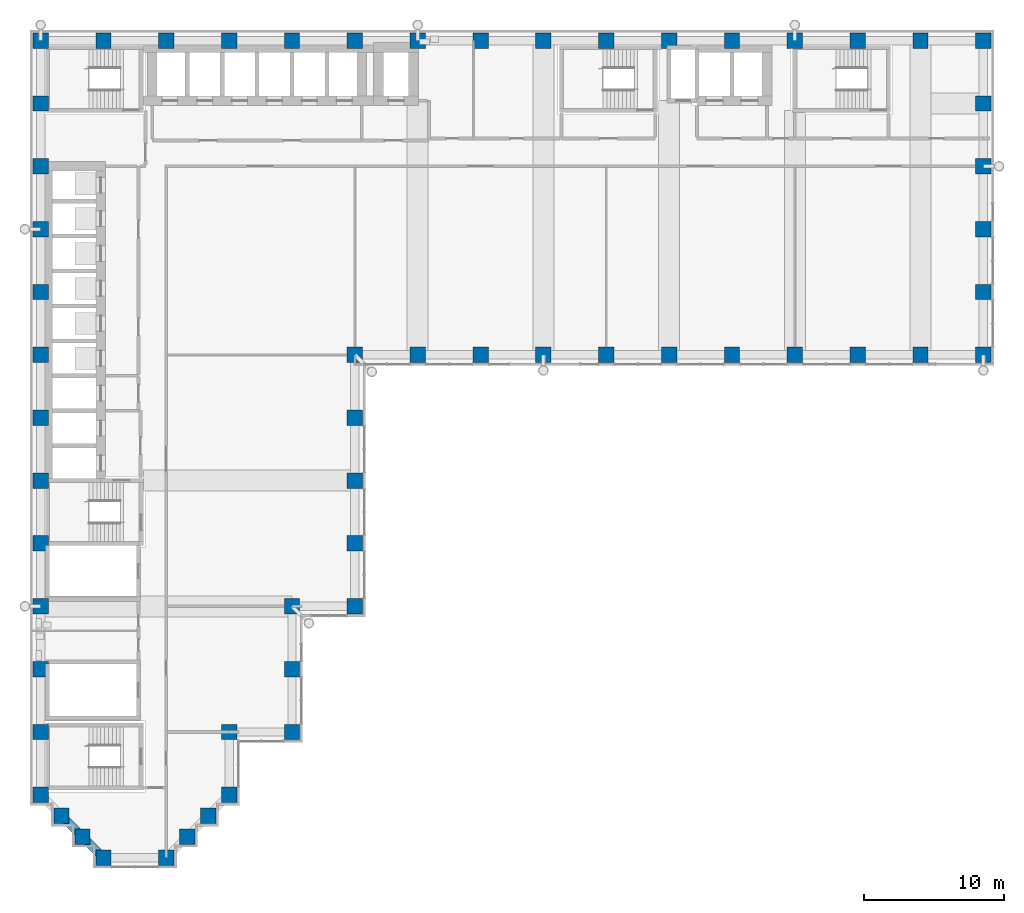
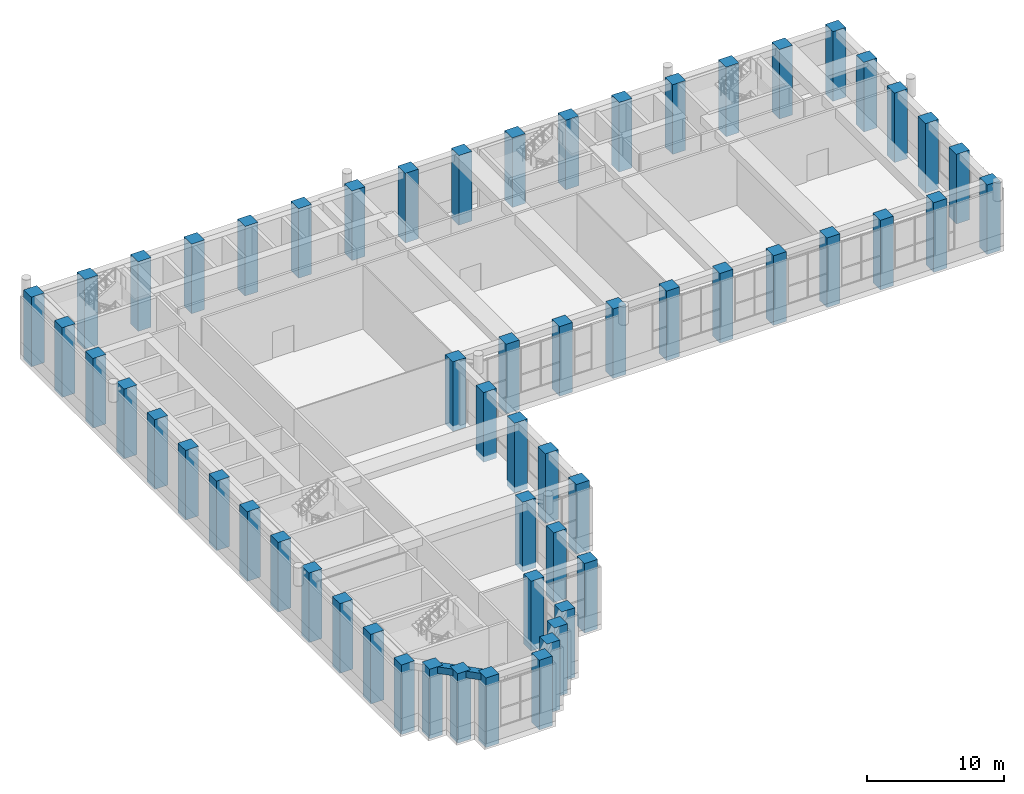
# One storey, part 1 of 22: 58 columns, 2 beams.
"""IFC4 building model written with IfcOpenShell, lengths in metres."""

from ifc_helpers import new_model, si_unit, direction, frame, origin, origin_2d, place, context, subcontext, project, spatial, rectangle, extrude, material, material_profile, profile_set, type_object, element, save


model = new_model("IFC4")

# Units and contexts
model_context = context("Model", 3, precision=1e-05, world=origin(), true_north=direction((0.0, 1.0)))
body_context = subcontext(model_context, "Body", "Model", "MODEL_VIEW")
ifc_project = project(units=[si_unit("LENGTHUNIT", "METRE"), si_unit("AREAUNIT", "SQUARE_METRE"), si_unit("VOLUMEUNIT", "CUBIC_METRE"), si_unit("PLANEANGLEUNIT", "RADIAN"), si_unit("MASSUNIT", "GRAM", prefix="KILO")], contexts=[model_context])

# Site, building, storey
site_placement = place(None, origin())
site = spatial("IfcSite", under=ifc_project, at=site_placement, CompositionType="ELEMENT")
building_placement = place(site_placement, origin())
building = spatial("IfcBuilding", under=site, at=building_placement, Name="Firuza Court", CompositionType="ELEMENT")
storey_placement = place(building_placement, frame((0.0, 0.0, 113.60009765625)))
storey = spatial("IfcBuildingStorey", under=building, at=storey_placement, Name="L28", CompositionType="ELEMENT", Elevation=113.60009765625)

# Columns
ifc_material_1 = material(Name="Concrete C70/85", Category="concrete")
ifc_material_profile_1 = material_profile(ifc_material_1, rectangle(XDim=1.10009765625, YDim=1.10009765625, at=origin_2d()), Name="RC 1100x1100")
ifc_profile_set_1 = profile_set([ifc_material_profile_1], Name="Concrete C70/85")
column_type = type_object("IfcColumnType", Name="Tube column RC 1100x1100 C70/85", PredefinedType="COLUMN", material=ifc_profile_set_1)
for number, where, z_axis, x_axis, name in (
    (1, (4.5, 0.0, -0.5), (0.0, 0.0, 1.0), (1.0, 0.0, 0.0), "Column C-2D L28"),
    (2, (9.0, 0.0, -0.5), (0.0, 0.0, 1.0), (1.0, 0.0, 0.0), "Column C-3D L28"),
    (3, (3.0, 1.5, -0.5), (0.0, 0.0, 1.0), (1.0, 0.0, 0.0), "Column C-SA1 L28"),
    (4, (10.5, 1.5, -0.5), (0.0, 0.0, 1.0), (1.0, 0.0, 0.0), "Column C-SA2 L28"),
    (5, (1.5, 3.0, -0.5), (0.0, 0.0, 1.0), (1.0, 0.0, 0.0), "Column C-SA3 L28"),
    (6, (12.0, 3.0, -0.5), (0.0, 0.0, 1.0), (1.0, 0.0, 0.0), "Column C-SA4 L28"),
    (7, (0.0, 4.5, -0.5), (0.0, 0.0, 1.0), (1.0, 0.0, 0.0), "Column C-1E L28"),
    (8, (13.5, 4.5, -0.5), (0.0, 0.0, 1.0), (1.0, 0.0, 0.0), "Column C-4E L28"),
    (9, (0.0, 9.0, -0.5), (0.0, 0.0, 1.0), (1.0, 0.0, 0.0), "Column C-1F L28"),
    (10, (13.5, 9.0, -0.5), (0.0, 0.0, 1.0), (1.0, 0.0, 0.0), "Column C-4F L28"),
    (11, (18.0, 9.0, -0.5), (0.0, 0.0, 1.0), (1.0, 0.0, 0.0), "Column C-5F L28"),
    (12, (0.0, 13.5, -0.5), (0.0, 0.0, 1.0), (1.0, 0.0, 0.0), "Column C-1G L28"),
    (13, (18.0, 13.5, -0.5), (0.0, 0.0, 1.0), (1.0, 0.0, 0.0), "Column C-5G L28"),
    (14, (0.0, 18.0, -0.5), (0.0, 0.0, 1.0), (1.0, 0.0, 0.0), "Column C-1H L28"),
    (15, (18.0, 18.0, -0.5), (0.0, 0.0, 1.0), (1.0, 0.0, 0.0), "Column C-5H L28"),
    (16, (22.5, 18.0, -0.5), (0.0, 0.0, 1.0), (1.0, 0.0, 0.0), "Column C-6H L28"),
    (17, (0.0, 22.5, -0.5), (0.0, 0.0, 1.0), (1.0, 0.0, 0.0), "Column C-1J L28"),
    (18, (22.5, 22.5, -0.5), (0.0, 0.0, 1.0), (1.0, 0.0, 0.0), "Column C-6J L28"),
    (19, (0.0, 27.0, -0.5), (0.0, 0.0, 1.0), (1.0, 0.0, 0.0), "Column C-1K L28"),
    (20, (22.5, 27.0, -0.5), (0.0, 0.0, 1.0), (1.0, 0.0, 0.0), "Column C-6K L28"),
    (21, (0.0, 31.5, -0.5), (0.0, 0.0, 1.0), (1.0, 0.0, 0.0), "Column C-1L L28"),
    (22, (22.5, 31.5, -0.5), (0.0, 0.0, 1.0), (1.0, 0.0, 0.0), "Column C-6L L28"),
    (23, (0.0, 36.0, -0.5), (0.0, 0.0, 1.0), (1.0, 0.0, 0.0), "Column C-1M L28"),
    (24, (22.5, 36.0, -0.5), (0.0, 0.0, 1.0), (1.0, 0.0, 0.0), "Column C-6M L28"),
    (25, (27.0, 36.0, -0.5), (0.0, 0.0, 1.0), (1.0, 0.0, 0.0), "Column C-7M L28"),
    (26, (31.5, 36.0, -0.5), (0.0, 0.0, 1.0), (1.0, 0.0, 0.0), "Column C-8M L28"),
    (27, (36.0, 36.0, -0.5), (0.0, 0.0, 1.0), (1.0, 0.0, 0.0), "Column C-9M L28"),
    (28, (40.5, 36.0, -0.5), (0.0, 0.0, 1.0), (1.0, 0.0, 0.0), "Column C-10M L28"),
    (29, (45.0, 36.0, -0.5), (0.0, 0.0, 1.0), (1.0, 0.0, 0.0), "Column C-11M L28"),
    (30, (49.5, 36.0, -0.5), (0.0, 0.0, 1.0), (1.0, 0.0, 0.0), "Column C-12M L28"),
    (31, (54.0, 36.0, -0.5), (0.0, 0.0, 1.0), (1.0, 0.0, 0.0), "Column C-13M L28"),
    (32, (58.5, 36.0, -0.5), (0.0, 0.0, 1.0), (1.0, 0.0, 0.0), "Column C-14M L28"),
    (33, (63.0, 36.0, -0.5), (0.0, 0.0, 1.0), (1.0, 0.0, 0.0), "Column C-15M L28"),
    (34, (67.5, 36.0, -0.5), (0.0, 0.0, 1.0), (1.0, 0.0, 0.0), "Column C-16M L28"),
    (35, (0.0, 40.5, -0.5), (0.0, 0.0, 1.0), (1.0, 0.0, 0.0), "Column C-1N L28"),
    (36, (67.5, 40.5, -0.5), (0.0, 0.0, 1.0), (1.0, 0.0, 0.0), "Column C-16N L28"),
    (37, (0.0, 45.0, -0.5), (0.0, 0.0, 1.0), (1.0, 0.0, 0.0), "Column C-1P L28"),
    (38, (67.5, 45.0, -0.5), (0.0, 0.0, 1.0), (1.0, 0.0, 0.0), "Column C-16P L28"),
    (39, (0.0, 49.5, -0.5), (0.0, 0.0, 1.0), (1.0, 0.0, 0.0), "Column C-1Q L28"),
    (40, (67.5, 49.5, -0.5), (0.0, 0.0, 1.0), (1.0, 0.0, 0.0), "Column C-16Q L28"),
    (41, (0.0, 54.0, -0.5), (0.0, 0.0, 1.0), (1.0, 0.0, 0.0), "Column C-1R L28"),
    (42, (67.5, 54.0, -0.5), (0.0, 0.0, 1.0), (1.0, 0.0, 0.0), "Column C-16R L28"),
    (43, (0.0, 58.5, -0.5), (0.0, 0.0, 1.0), (1.0, 0.0, 0.0), "Column C-1S L28"),
    (44, (4.5, 58.5, -0.5), (0.0, 0.0, 1.0), (1.0, 0.0, 0.0), "Column C-2S L28"),
    (45, (9.0, 58.5, -0.5), (0.0, 0.0, 1.0), (1.0, 0.0, 0.0), "Column C-3S L28"),
    (46, (13.5, 58.5, -0.5), (0.0, 0.0, 1.0), (1.0, 0.0, 0.0), "Column C-4S L28"),
    (47, (18.0, 58.5, -0.5), (0.0, 0.0, 1.0), (1.0, 0.0, 0.0), "Column C-5S L28"),
    (48, (22.5, 58.5, -0.5), (0.0, 0.0, 1.0), (1.0, 0.0, 0.0), "Column C-6S L28"),
    (49, (27.0, 58.5, -0.5), (0.0, 0.0, 1.0), (1.0, 0.0, 0.0), "Column C-7S L28"),
    (50, (31.5, 58.5, -0.5), (0.0, 0.0, 1.0), (1.0, 0.0, 0.0), "Column C-8S L28"),
    (51, (36.0, 58.5, -0.5), (0.0, 0.0, 1.0), (1.0, 0.0, 0.0), "Column C-9S L28"),
    (52, (40.5, 58.5, -0.5), (0.0, 0.0, 1.0), (1.0, 0.0, 0.0), "Column C-10S L28"),
    (53, (45.0, 58.5, -0.5), (0.0, 0.0, 1.0), (1.0, 0.0, 0.0), "Column C-11S L28"),
    (54, (49.5, 58.5, -0.5), (0.0, 0.0, 1.0), (1.0, 0.0, 0.0), "Column C-12S L28"),
    (55, (54.0, 58.5, -0.5), (0.0, 0.0, 1.0), (1.0, 0.0, 0.0), "Column C-13S L28"),
    (56, (58.5, 58.5, -0.5), (0.0, 0.0, 1.0), (1.0, 0.0, 0.0), "Column C-14S L28"),
    (57, (63.0, 58.5, -0.5), (0.0, 0.0, 1.0), (1.0, 0.0, 0.0), "Column C-15S L28"),
    (58, (67.5, 58.5, -0.5), (0.0, 0.0, 1.0), (1.0, 0.0, 0.0), "Column C-16S L28"),
):
    element("IfcColumn", number, at=place(storey_placement, frame(where, z_axis=z_axis, x_axis=x_axis)), inside=storey, type_object=column_type, Name=name, PredefinedType="COLUMN", context=body_context, shape_type="SweptSolid", body=[
        extrude(rectangle(XDim=1.10009765625, YDim=1.10009765625, at=origin_2d()), origin(), (0.0, 0.0, 1.0), 6.199951171875),
    ])

# Beams
ifc_material_2 = material(Name="Concrete C40/50", Category="concrete")
ifc_material_profile_2 = material_profile(ifc_material_2, rectangle(XDim=0.60009765625, YDim=0.60009765625, at=origin_2d()), Name="RC 600x600")
ifc_profile_set_2 = profile_set([ifc_material_profile_2], Name="Concrete C40/50")
beam_type = type_object("IfcBeamType", Name="Spandrel beam RC 600x600 C40/50", PredefinedType="BEAM", material=ifc_profile_set_2)
for number, where, z_axis, x_axis, name in (
    (59, (1.5, 3.0, 5.39990234375), (0.707106781187, -0.707106781187, 0.0), (0.707106781187, 0.707106781187, 0.0), "Spandrel beam SP11 level L29"),
    (60, (3.0, 1.5, 5.39990234375), (0.707106781187, -0.707106781187, 0.0), (0.707106781187, 0.707106781187, 0.0), "Spandrel beam SP11 level L29"),
):
    element("IfcBeam", number, at=place(storey_placement, frame(where, z_axis=z_axis, x_axis=x_axis)), inside=storey, type_object=beam_type, Name=name, PredefinedType="BEAM", context=body_context, shape_type="SweptSolid", body=[
        extrude(rectangle(XDim=0.60009765625, YDim=0.60009765625, at=origin_2d()), origin(), (0.0, 0.0, 1.0), 2.121337890625),
    ])

save(model, "model.ifc")
